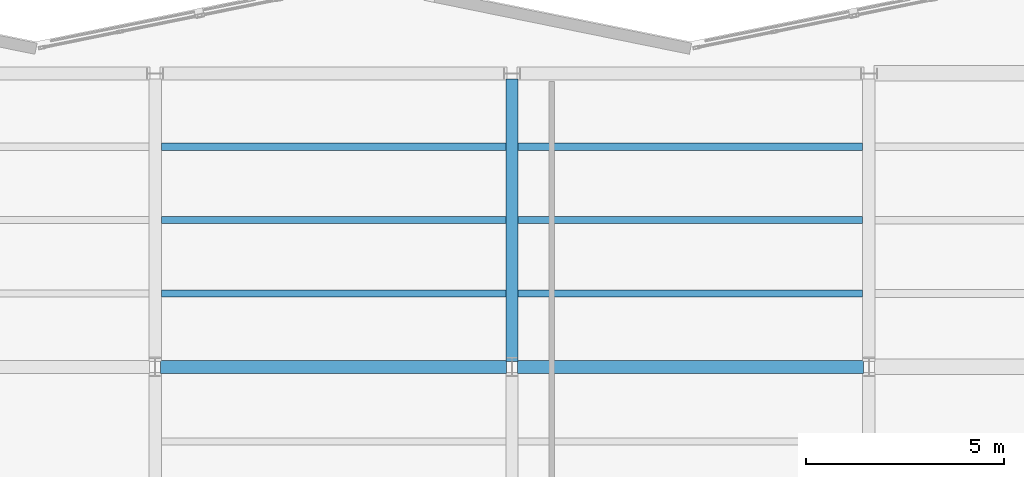
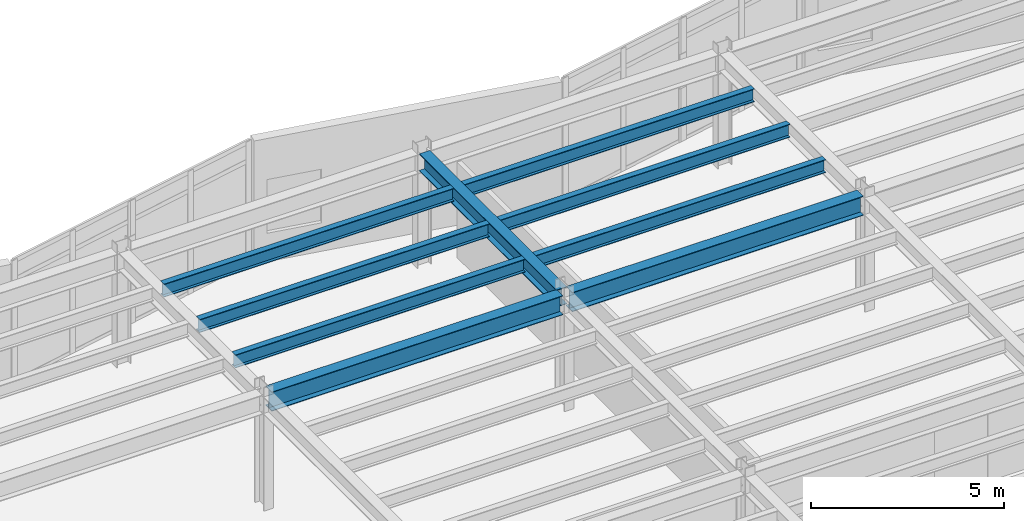
# One storey, part 21 of 59: 9 beams.
"""IFC4 building model written with IfcOpenShell, lengths in metres."""

from ifc_helpers import new_model, si_unit, direction, frame, origin, origin_2d, place, context, subcontext, project, spatial, i_section, extrude, material, material_profile, profile_set, type_object, element, save


model = new_model("IFC4")

# Units and contexts
model_context = context("Model", 3, precision=1e-05, world=origin(), true_north=direction((0.0, 1.0)))
body_context = subcontext(model_context, "Body", "Model", "MODEL_VIEW")
ifc_project = project(units=[si_unit("LENGTHUNIT", "METRE"), si_unit("AREAUNIT", "SQUARE_METRE"), si_unit("VOLUMEUNIT", "CUBIC_METRE"), si_unit("PLANEANGLEUNIT", "RADIAN"), si_unit("MASSUNIT", "GRAM", prefix="KILO")], contexts=[model_context])

# Site, building, storey
site_placement = place(None, origin())
site = spatial("IfcSite", under=ifc_project, at=site_placement, CompositionType="ELEMENT")
building_placement = place(site_placement, origin())
building = spatial("IfcBuilding", under=site, at=building_placement, Name="Sollismere Congress Hotel", CompositionType="ELEMENT")
storey_placement = place(building_placement, frame((0.0, 0.0, 15.60009765625)))
storey = spatial("IfcBuildingStorey", under=building, at=storey_placement, Name="L03", CompositionType="ELEMENT", Elevation=15.60009765625)

# Beams
ifc_material = material(Name="Steel ASTM A992 Grade 50", Category="steel")
ifc_material_profile_1 = material_profile(ifc_material, i_section(OverallWidth=0.31494140625, OverallDepth=0.551025390625, WebThickness=0.01513671875, FlangeThickness=0.0244140625, at=origin_2d()), Name="W21X122")
ifc_profile_set_1 = profile_set([ifc_material_profile_1], Name="Steel ASTM A992 Grade 50")
beam_type_1 = type_object("IfcBeamType", Name="BM-G21H", PredefinedType="BEAM", material=ifc_profile_set_1)
beam_placement = place(storey_placement, frame((103.0, 95.139892578125, 3.349365234375), z_axis=(0.0, 1.0, 0.0), x_axis=(-1.0, 0.0, 0.0)))
element("IfcBeam", 1, at=beam_placement, inside=storey, type_object=beam_type_1, Name="Beam BM-L03-2448", PredefinedType="BEAM", context=body_context, shape_type="SweptSolid", body=[
    extrude(i_section(OverallWidth=0.31494140625, OverallDepth=0.551025390625, WebThickness=0.01513671875, FlangeThickness=0.0244140625, at=origin_2d()), origin(), (0.0, 0.0, 1.0), 7.1201171875),
])
ifc_material_profile_2 = material_profile(ifc_material, i_section(OverallWidth=0.324951171875, OverallDepth=0.612060546875, WebThickness=0.0126953125, FlangeThickness=0.01904296875, at=origin_2d()), Name="W24X104")
ifc_profile_set_2 = profile_set([ifc_material_profile_2], Name="Steel ASTM A992 Grade 50")
beam_type_2 = type_object("IfcBeamType", Name="BM-G24", PredefinedType="BEAM", material=ifc_profile_set_2)
for number, where, z_axis, x_axis, name in (
    (2, (94.139892578125, 95.0, 3.31884765625), (1.0, 0.0, 0.0), (0.0, 1.0, 0.0), "Beam BM-L03-2395"),
    (3, (103.139892578125, 95.0, 3.31884765625), (1.0, 0.0, 0.0), (0.0, 1.0, 0.0), "Beam BM-L03-2396"),
):
    element("IfcBeam", number, at=place(storey_placement, frame(where, z_axis=z_axis, x_axis=x_axis)), inside=storey, type_object=beam_type_2, Name=name, PredefinedType="BEAM", context=body_context, shape_type="SweptSolid", body=[
        extrude(i_section(OverallWidth=0.324951171875, OverallDepth=0.612060546875, WebThickness=0.0126953125, FlangeThickness=0.01904296875, at=origin_2d()), origin(), (0.0, 0.0, 1.0), 8.72021484375),
    ])
ifc_material_profile_3 = material_profile(ifc_material, i_section(OverallWidth=0.180908203125, OverallDepth=0.4169921875, WebThickness=0.010986328125, FlangeThickness=0.018310546875, at=origin_2d()), Name="W16X57")
ifc_profile_set_3 = profile_set([ifc_material_profile_3], Name="Steel ASTM A992 Grade 50")
beam_type_3 = type_object("IfcBeamType", Name="BM-J16", PredefinedType="JOIST", material=ifc_profile_set_3)
for number, where, z_axis, x_axis, name in (
    (4, (94.157470703125, 96.85009765625, 3.41650390625), (1.0, 0.0, 0.0), (0.0, 1.0, 0.0), "Beam BM-L03-2576"),
    (5, (94.157470703125, 98.699951171875, 3.41650390625), (1.0, 0.0, 0.0), (0.0, 1.0, 0.0), "Beam BM-L03-2577"),
    (6, (94.157470703125, 100.550048828125, 3.41650390625), (1.0, 0.0, 0.0), (0.0, 1.0, 0.0), "Beam BM-L03-2578"),
    (7, (103.157470703125, 96.85009765625, 3.41650390625), (1.0, 0.0, 0.0), (0.0, 1.0, 0.0), "Beam BM-L03-2591"),
    (8, (103.157470703125, 98.699951171875, 3.41650390625), (1.0, 0.0, 0.0), (0.0, 1.0, 0.0), "Beam BM-L03-2592"),
    (9, (103.157470703125, 100.550048828125, 3.41650390625), (1.0, 0.0, 0.0), (0.0, 1.0, 0.0), "Beam BM-L03-2593"),
):
    element("IfcBeam", number, at=place(storey_placement, frame(where, z_axis=z_axis, x_axis=x_axis)), inside=storey, type_object=beam_type_3, Name=name, PredefinedType="JOIST", context=body_context, shape_type="SweptSolid", body=[
        extrude(i_section(OverallWidth=0.180908203125, OverallDepth=0.4169921875, WebThickness=0.010986328125, FlangeThickness=0.018310546875, at=origin_2d()), origin(), (0.0, 0.0, 1.0), 8.68505859375),
    ])

save(model, "model.ifc")
